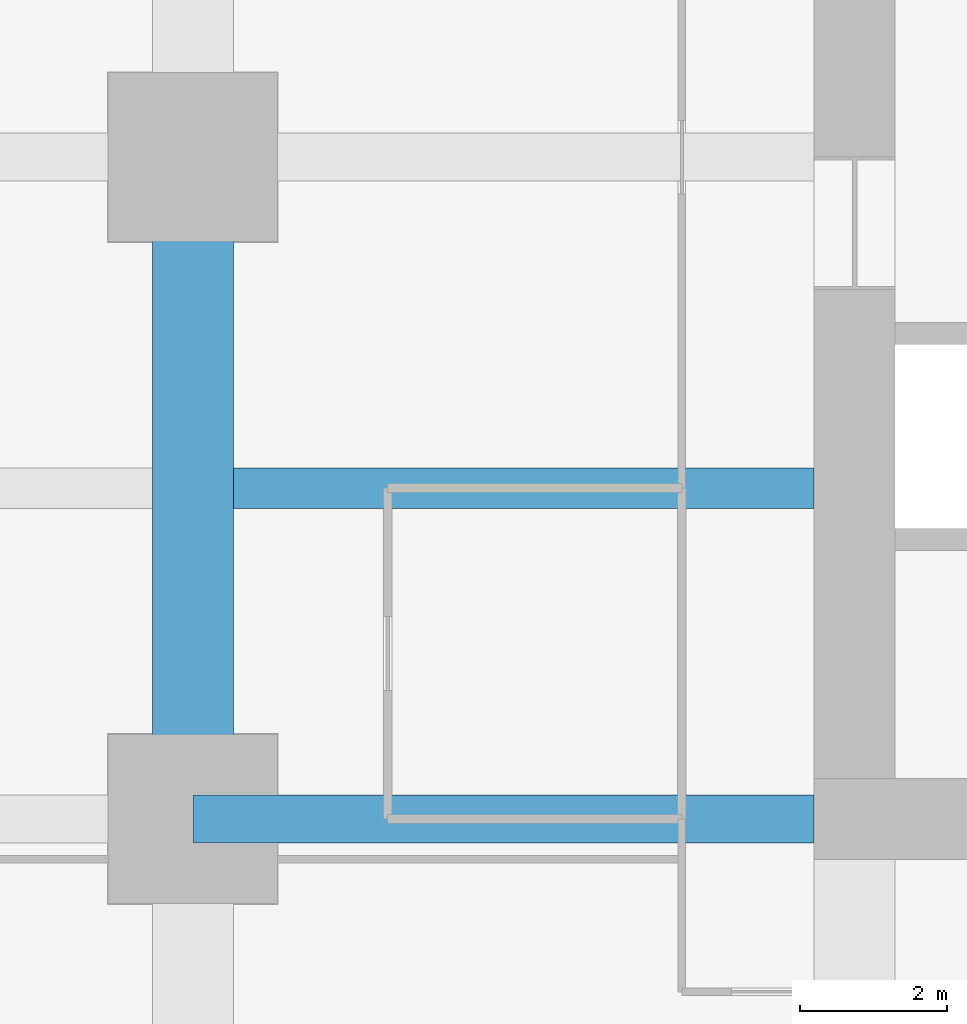
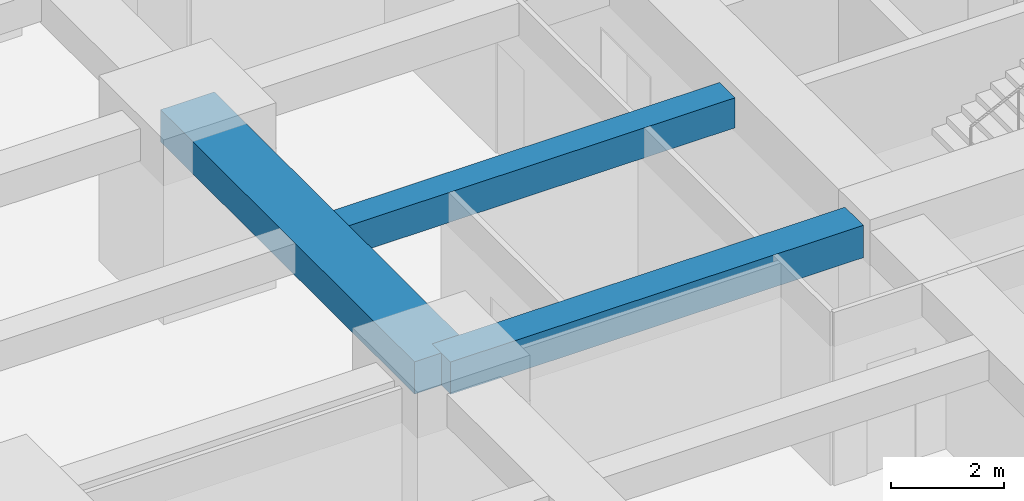
# One storey, part 10 of 45: 3 beams.
"""IFC4 building model written with IfcOpenShell, lengths in metres."""

from ifc_helpers import new_model, si_unit, direction, frame, origin, origin_2d, place, context, subcontext, project, spatial, rectangle, extrude, material, material_profile, profile_set, type_object, element, save


model = new_model("IFC4")

# Units and contexts
model_context = context("Model", 3, precision=1e-05, world=origin(), true_north=direction((0.0, 1.0)))
body_context = subcontext(model_context, "Body", "Model", "MODEL_VIEW")
ifc_project = project(units=[si_unit("LENGTHUNIT", "METRE"), si_unit("AREAUNIT", "SQUARE_METRE"), si_unit("VOLUMEUNIT", "CUBIC_METRE"), si_unit("PLANEANGLEUNIT", "RADIAN"), si_unit("MASSUNIT", "GRAM", prefix="KILO")], contexts=[model_context])

# Site, building, storey
site_placement = place(None, origin())
site = spatial("IfcSite", under=ifc_project, at=site_placement, CompositionType="ELEMENT")
building_placement = place(site_placement, origin())
building = spatial("IfcBuilding", under=site, at=building_placement, Name="Zorevar Civic Tower", CompositionType="ELEMENT")
storey_placement = place(building_placement, frame((0.0, 0.0, 39.800048828125)))
storey = spatial("IfcBuildingStorey", under=building, at=storey_placement, Name="L09", CompositionType="ELEMENT", Elevation=39.800048828125)

# Beams
ifc_material_1 = material(Name="Concrete C50/60", Category="concrete")
ifc_material_profile_1 = material_profile(ifc_material_1, rectangle(XDim=1.10009765625, YDim=0.699951171875, at=origin_2d()), Name="RC 1100x700")
ifc_profile_set_1 = profile_set([ifc_material_profile_1], Name="Concrete C50/60")
beam_type_1 = type_object("IfcBeamType", Name="Beam RC 1100x700", PredefinedType="BEAM", material=ifc_profile_set_1)
beam_1_placement = place(storey_placement, frame((9.0, 18.0, 3.39990234375), z_axis=(0.0, 1.0, 0.0), x_axis=(-1.0, 0.0, 0.0)))
element("IfcBeam", 1, at=beam_1_placement, inside=storey, type_object=beam_type_1, Name="Girder L10", PredefinedType="BEAM", context=body_context, shape_type="SweptSolid", body=[
    extrude(rectangle(XDim=1.10009765625, YDim=0.699951171875, at=origin_2d()), origin(), (0.0, 0.0, 1.0), 9.0),
])
ifc_material_2 = material(Name="Concrete C50/60", Category="concrete")
ifc_material_profile_2 = material_profile(ifc_material_2, rectangle(XDim=0.550048828125, YDim=0.64990234375, at=origin_2d()), Name="RC 550x650")
ifc_profile_set_2 = profile_set([ifc_material_profile_2], Name="Concrete C50/60")
beam_type_2 = type_object("IfcBeamType", Name="Beam RC 550x650", PredefinedType="BEAM", material=ifc_profile_set_2)
beam_2_placement = place(storey_placement, frame((9.550048828125, 22.5, 3.425048828125), z_axis=(1.0, 0.0, 0.0), x_axis=(0.0, 1.0, 0.0)))
element("IfcBeam", 2, at=beam_2_placement, inside=storey, type_object=beam_type_2, Name="Secondary beam L10", PredefinedType="BEAM", context=body_context, shape_type="SweptSolid", body=[
    extrude(rectangle(XDim=0.550048828125, YDim=0.64990234375, at=origin_2d()), origin(), (0.0, 0.0, 1.0), 7.89990234375),
])
ifc_material_3 = material(Name="Concrete C50/60", Category="concrete")
ifc_material_profile_3 = material_profile(ifc_material_3, rectangle(XDim=0.64990234375, YDim=0.699951171875, at=origin_2d()), Name="RC 650x700")
ifc_profile_set_3 = profile_set([ifc_material_profile_3], Name="Concrete C50/60")
beam_type_3 = type_object("IfcBeamType", Name="Beam RC 650x700", PredefinedType="BEAM", material=ifc_profile_set_3)
beam_3_placement = place(storey_placement, frame((9.0, 18.0, 3.39990234375), z_axis=(1.0, 0.0, 0.0), x_axis=(0.0, 1.0, 0.0)))
element("IfcBeam", 3, at=beam_3_placement, inside=storey, type_object=beam_type_3, Name="Girder L10", PredefinedType="BEAM", context=body_context, shape_type="SweptSolid", body=[
    extrude(rectangle(XDim=0.64990234375, YDim=0.699951171875, at=origin_2d()), origin(), (0.0, 0.0, 1.0), 8.449951171875),
])

save(model, "model.ifc")
